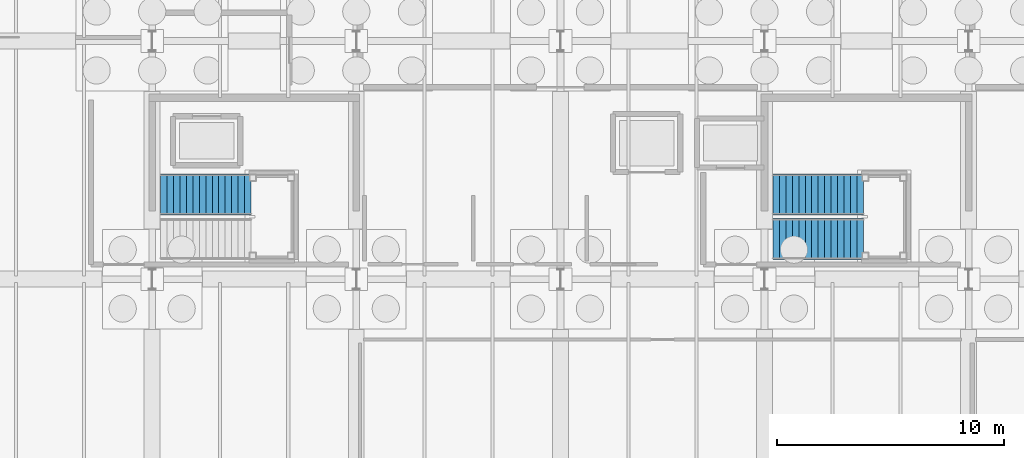
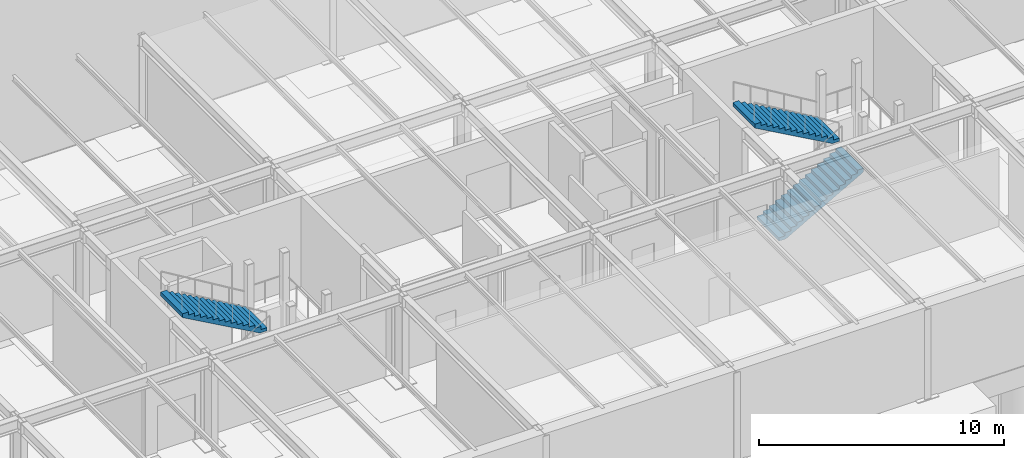
# One storey, part 10 of 19: 3 stair flights, 2 elements without a shape of their own.
"""IFC4 building model written with IfcOpenShell, lengths in metres."""

from ifc_helpers import new_model, si_unit, direction, frame, origin, place, context, subcontext, project, spatial, polyline, outline, extrude, material, type_object, element, aggregate, save


model = new_model("IFC4")

# Units and contexts
model_context = context("Model", 3, precision=1e-05, world=origin(), true_north=direction((0.0, 1.0)))
body_context = subcontext(model_context, "Body", "Model", "MODEL_VIEW")
ifc_project = project(units=[si_unit("LENGTHUNIT", "METRE"), si_unit("AREAUNIT", "SQUARE_METRE"), si_unit("VOLUMEUNIT", "CUBIC_METRE"), si_unit("PLANEANGLEUNIT", "RADIAN"), si_unit("MASSUNIT", "GRAM", prefix="KILO")], contexts=[model_context])

# Site, building, storey
site_placement = place(None, origin())
site = spatial("IfcSite", under=ifc_project, at=site_placement, CompositionType="ELEMENT")
building_placement = place(site_placement, origin())
building = spatial("IfcBuilding", under=site, at=building_placement, Name="Marlcrest Central Station", CompositionType="ELEMENT")
storey_placement = place(building_placement, frame((0.0, 0.0, -4.800048828125)))
storey = spatial("IfcBuildingStorey", under=building, at=storey_placement, Name="B1", CompositionType="ELEMENT", Elevation=-4.800048828125)

# Stair, stair flight
ifc_material = material(Name="Concrete C35/45", Category="concrete")
stair_type = type_object("IfcStairType", Name="ST-HTS", PredefinedType="HALF_TURN_STAIR", material=ifc_material)
stair_1_placement = place(storey_placement, origin())
stair_1 = element("IfcStair", 1, at=stair_1_placement, inside=storey, type_object=stair_type, Name="ST-W1B", PredefinedType="HALF_TURN_STAIR")
stair_flight_type = type_object("IfcStairFlightType", Name="SF-180", PredefinedType="STRAIGHT", material=ifc_material)
stair_flight_1_placement = place(storey_placement, frame((22.360107421875, 114.22998046875, 2.400146484375), z_axis=(0.0, 0.0, 1.0), x_axis=(-1.0, 0.0, 0.0)))
stair_flight_1 = element("IfcStairFlight", 2, at=stair_flight_1_placement, type_object=stair_flight_type, Name="ST-W1B-F2", NumberOfRisers=15, NumberOfTreads=14, PredefinedType="STRAIGHT", RiserHeight=0.16, TreadLength=0.285, context=body_context, shape_type="SweptSolid", body=[
    extrude(outline(polyline([(0.0, 0.0), (0.0, 0.159912109375), (0.284912109375, 0.159912109375), (0.284912109375, 0.320068359375), (0.570068359375, 0.320068359375), (0.570068359375, 0.47998046875), (0.85498046875, 0.47998046875), (0.85498046875, 0.639892578125), (1.139892578125, 0.639892578125), (1.139892578125, 0.800048828125), (1.425048828125, 0.800048828125), (1.425048828125, 0.9599609375), (1.7099609375, 0.9599609375), (1.7099609375, 1.1201171875), (1.9951171875, 1.1201171875), (1.9951171875, 1.280029296875), (2.280029296875, 1.280029296875), (2.280029296875, 1.43994140625), (2.56494140625, 1.43994140625), (2.56494140625, 1.60009765625), (2.85009765625, 1.60009765625), (2.85009765625, 1.760009765625), (3.135009765625, 1.760009765625), (3.135009765625, 1.919921875), (3.419921875, 1.919921875), (3.419921875, 2.080078125), (3.705078125, 2.080078125), (3.705078125, 2.239990234375), (3.989990234375, 2.239990234375), (3.989990234375, 2.39990234375), (3.989990234375, 2.05078125), (0.337158203125, 0.0), (0.0, 0.0)])), frame((0.0, 0.89990234375, 0.0), z_axis=(0.0, -1.0, 0.0), x_axis=(1.0, 0.0, 0.0)), (0.0, 0.0, 1.0), 1.800048828125),
])
aggregate(stair_1, [stair_flight_1])

# Stair, stair flights
stair_2_placement = place(storey_placement, origin())
stair_2 = element("IfcStair", 3, at=stair_2_placement, inside=storey, type_object=stair_type, Name="ST-W2B", PredefinedType="HALF_TURN_STAIR")
stair_flight_2_placement = place(storey_placement, frame((45.3701171875, 112.27001953125, 0.0), z_axis=(0.0, 0.0, 1.0), x_axis=(1.0, 0.0, 0.0)))
stair_flight_2 = element("IfcStairFlight", 4, at=stair_flight_2_placement, type_object=stair_flight_type, Name="ST-W2B-F1", NumberOfRisers=15, NumberOfTreads=14, PredefinedType="STRAIGHT", RiserHeight=0.16, TreadLength=0.285, context=body_context, shape_type="SweptSolid", body=[
    extrude(outline(polyline([(0.0, 0.0), (0.0, 0.159912109375), (0.284912109375, 0.159912109375), (0.284912109375, 0.320068359375), (0.570068359375, 0.320068359375), (0.570068359375, 0.47998046875), (0.85498046875, 0.47998046875), (0.85498046875, 0.639892578125), (1.139892578125, 0.639892578125), (1.139892578125, 0.800048828125), (1.425048828125, 0.800048828125), (1.425048828125, 0.9599609375), (1.7099609375, 0.9599609375), (1.7099609375, 1.1201171875), (1.9951171875, 1.1201171875), (1.9951171875, 1.280029296875), (2.280029296875, 1.280029296875), (2.280029296875, 1.43994140625), (2.56494140625, 1.43994140625), (2.56494140625, 1.60009765625), (2.85009765625, 1.60009765625), (2.85009765625, 1.760009765625), (3.135009765625, 1.760009765625), (3.135009765625, 1.919921875), (3.419921875, 1.919921875), (3.419921875, 2.080078125), (3.705078125, 2.080078125), (3.705078125, 2.239990234375), (3.989990234375, 2.239990234375), (3.989990234375, 2.39990234375), (3.989990234375, 2.05078125), (0.337158203125, 0.0), (0.0, 0.0)])), frame((0.0, 0.89990234375, 0.0), z_axis=(0.0, -1.0, 0.0), x_axis=(1.0, 0.0, 0.0)), (0.0, 0.0, 1.0), 1.800048828125),
])
stair_flight_3_placement = place(storey_placement, frame((49.360107421875, 114.22998046875, 2.400146484375), z_axis=(0.0, 0.0, 1.0), x_axis=(-1.0, 0.0, 0.0)))
stair_flight_3 = element("IfcStairFlight", 5, at=stair_flight_3_placement, type_object=stair_flight_type, Name="ST-W2B-F2", NumberOfRisers=15, NumberOfTreads=14, PredefinedType="STRAIGHT", RiserHeight=0.16, TreadLength=0.285, context=body_context, shape_type="SweptSolid", body=[
    extrude(outline(polyline([(0.0, 0.0), (0.0, 0.159912109375), (0.284912109375, 0.159912109375), (0.284912109375, 0.320068359375), (0.570068359375, 0.320068359375), (0.570068359375, 0.47998046875), (0.85498046875, 0.47998046875), (0.85498046875, 0.639892578125), (1.139892578125, 0.639892578125), (1.139892578125, 0.800048828125), (1.425048828125, 0.800048828125), (1.425048828125, 0.9599609375), (1.7099609375, 0.9599609375), (1.7099609375, 1.1201171875), (1.9951171875, 1.1201171875), (1.9951171875, 1.280029296875), (2.280029296875, 1.280029296875), (2.280029296875, 1.43994140625), (2.56494140625, 1.43994140625), (2.56494140625, 1.60009765625), (2.85009765625, 1.60009765625), (2.85009765625, 1.760009765625), (3.135009765625, 1.760009765625), (3.135009765625, 1.919921875), (3.419921875, 1.919921875), (3.419921875, 2.080078125), (3.705078125, 2.080078125), (3.705078125, 2.239990234375), (3.989990234375, 2.239990234375), (3.989990234375, 2.39990234375), (3.989990234375, 2.05078125), (0.337158203125, 0.0), (0.0, 0.0)])), frame((0.0, 0.89990234375, 0.0), z_axis=(0.0, -1.0, 0.0), x_axis=(1.0, 0.0, 0.0)), (0.0, 0.0, 1.0), 1.800048828125),
])
aggregate(stair_2, [stair_flight_2, stair_flight_3])

save(model, "model.ifc")
